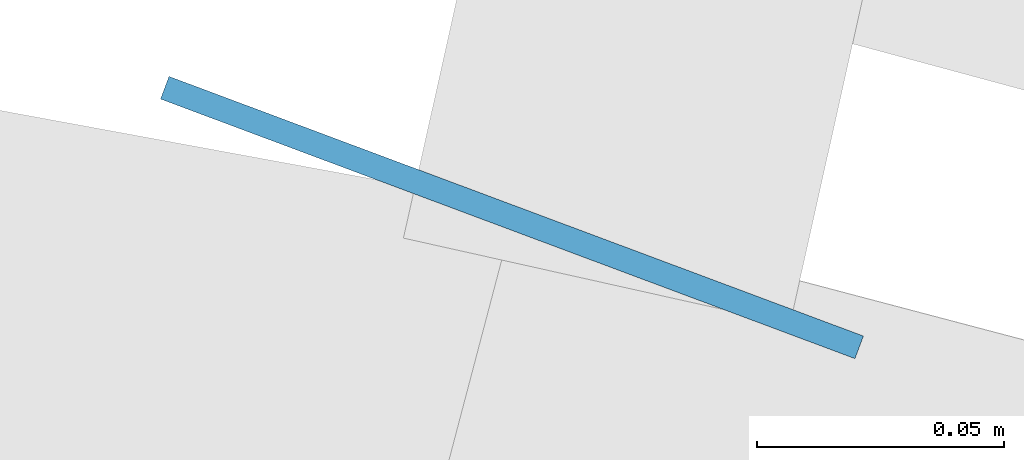
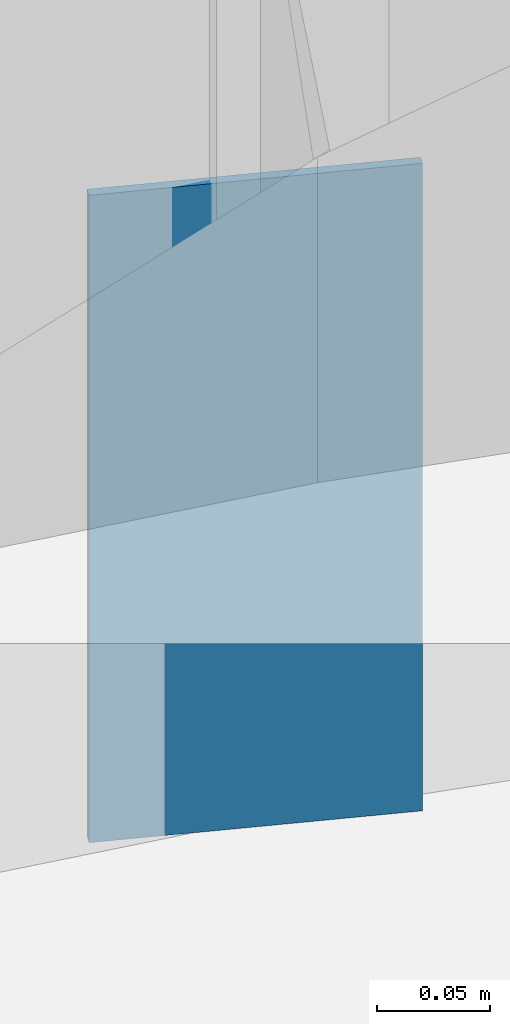
# One storey, part 20 of 28: 1 discrete accessory.
"""IFC4 building model written with IfcOpenShell, lengths in metres."""

import ifcopenshell
import ifcopenshell.guid

model = None  # the IFC model being written
_history = None  # IfcOwnerHistory: only IFC2X3 demands one
_inside = {}  # id of a spatial element -> (the spatial element, [elements in it])
_under = {}  # id of a project, library or spatial element -> (it, [spatial elements below it])
_declared = {}  # id of a project -> (the project, [libraries it declares])
_typed = {}  # id of a type object -> (the type object, [elements of that type])
_made_of = {}  # id of a material, layer set ... -> (it, [elements and type objects made of it])


def new_model(schema):
    """Start an empty IFC model of exactly this schema.

    Asked for "IFC4X3", IfcOpenShell would pick the latest addendum, in which some entities
    have other attributes; the version numbers below select the first issue.
    IFC2X3 requires an IfcOwnerHistory on every rooted entity: one is made here for all.
    """
    global model, _history
    if schema == "IFC4X3":
        model = ifcopenshell.file(schema_version=(4, 3, 0, 0))
    else:
        model = ifcopenshell.file(schema=schema)
    _inside.clear()
    _under.clear()
    _declared.clear()
    _typed.clear()
    _made_of.clear()
    _history = None
    if model.schema == "IFC2X3":
        org = make("IfcOrganization", Name="unknown")
        user = make(
            "IfcPersonAndOrganization",
            ThePerson=make("IfcPerson", FamilyName="unknown"),
            TheOrganization=org,
        )
        app = make(
            "IfcApplication",
            ApplicationDeveloper=org,
            Version="unknown",
            ApplicationFullName="unknown",
            ApplicationIdentifier="unknown",
        )
        _history = make(
            "IfcOwnerHistory",
            OwningUser=user,
            OwningApplication=app,
            ChangeAction="ADDED",
            CreationDate=0,
        )
    return model


def make(cls, **values):
    """One entity of the class cls with the attributes given. An attribute that is None is left unset."""
    return model.create_entity(
        cls, **{name: value for name, value in values.items() if value is not None}
    )


def rooted(cls, **values):
    """An entity with a GlobalId (a new one), such as an element, a storey or a relation."""
    return make(cls, GlobalId=ifcopenshell.guid.new(), OwnerHistory=_history, **values)


def si_unit(unit_type, name, prefix=None):
    """IfcSIUnit, for example si_unit("LENGTHUNIT", "METRE", prefix="MILLI")."""
    return make("IfcSIUnit", UnitType=unit_type, Prefix=prefix, Name=name)


def assignment(units):
    """IfcUnitAssignment: the units of a project."""
    return None if units is None else make("IfcUnitAssignment", Units=units)


def point(xyz):
    """IfcCartesianPoint."""
    return None if xyz is None else make("IfcCartesianPoint", Coordinates=xyz)


def direction(xyz):
    """IfcDirection."""
    return None if xyz is None else make("IfcDirection", DirectionRatios=xyz)


def frame(location, z_axis=None, x_axis=None):
    """IfcAxis2Placement3D, a coordinate frame: its origin and axes. An axis left out is left unset."""
    return make(
        "IfcAxis2Placement3D",
        Location=point(location),
        Axis=direction(z_axis),
        RefDirection=direction(x_axis),
    )


def frame_2d(location, x_axis=None):
    """IfcAxis2Placement2D, a coordinate frame in the plane: its origin and x axis."""
    return make(
        "IfcAxis2Placement2D", Location=point(location), RefDirection=direction(x_axis)
    )


def origin():
    """The frame at (0, 0, 0) with its axes left unset."""
    return frame((0.0, 0.0, 0.0))


def origin_2d():
    """The frame at (0, 0) in the plane with its x axis left unset."""
    return frame_2d((0.0, 0.0))


def place(relative_to, where):
    """IfcLocalPlacement: puts the frame where relative to a parent placement (None: the world)."""
    return make(
        "IfcLocalPlacement", PlacementRelTo=relative_to, RelativePlacement=where
    )


def context(
    kind, dimensions, precision=None, world=None, true_north=None, identifier=None
):
    """IfcGeometricRepresentationContext, for example the 3D "Model" context."""
    return make(
        "IfcGeometricRepresentationContext",
        ContextIdentifier=identifier,
        ContextType=kind,
        CoordinateSpaceDimension=dimensions,
        Precision=precision,
        WorldCoordinateSystem=world,
        TrueNorth=true_north,
    )


def subcontext(parent, identifier, kind, view, scale=None):
    """IfcGeometricRepresentationSubContext, for example "Body" below "Model"."""
    return make(
        "IfcGeometricRepresentationSubContext",
        ContextIdentifier=identifier,
        ContextType=kind,
        ParentContext=parent,
        TargetScale=scale,
        TargetView=view,
    )


def project(units=None, contexts=None):
    """IfcProject with its units and contexts."""
    return rooted(
        "IfcProject",
        Name="project",
        RepresentationContexts=contexts,
        UnitsInContext=assignment(units),
    )


def spatial(cls, under=None, at=None, **own):
    """A site, building, storey or space (cls), placed at a placement, below another one or the project."""
    s = rooted(cls, ObjectPlacement=at, **own)
    if under is not None:
        _under.setdefault(under.id(), (under, []))[1].append(s)
    return s


def profile(cls, at=None, kind="AREA", **sizes):
    """A parametric profile (cls). Its sizes go by their IFC names, for example OverallWidth=200.0."""
    return make(cls, ProfileType=kind, Position=at, **sizes)


def rectangle(**sizes):
    """IfcRectangleProfileDef."""
    return profile("IfcRectangleProfileDef", **sizes)


def extrude(swept, where, along, depth):
    """IfcExtrudedAreaSolid: the profile swept, set in the frame where, extruded along a direction by depth."""
    return make(
        "IfcExtrudedAreaSolid",
        SweptArea=swept,
        Position=where,
        ExtrudedDirection=direction(along),
        Depth=depth,
    )


def shape(context_of_items, identifier, shape_type, items):
    """IfcShapeRepresentation: the items that make up one representation, for example the "Body"."""
    return make(
        "IfcShapeRepresentation",
        ContextOfItems=context_of_items,
        RepresentationIdentifier=identifier,
        RepresentationType=shape_type,
        Items=items,
    )


def material(Name=None, Category=None):
    """IfcMaterial."""
    return make("IfcMaterial", Name=Name, Category=Category)


def made_of(thing, what):
    """Note that an element or type object is made of a material, layer set ...; save() writes the relation."""
    if what is not None:
        _made_of.setdefault(what.id(), (what, []))[1].append(thing)
    return thing


def type_object(cls, material=None, **own):
    """A type object (cls), such as IfcWallType, which elements share."""
    return made_of(rooted(cls, **own), material)


def element(
    cls,
    number,
    at=None,
    inside=None,
    cuts=None,
    type_object=None,
    material=None,
    context=None,
    identifier="Body",
    shape_type=None,
    held_by="IfcProductDefinitionShape",
    body=None,
    shapes=None,
    **own,
):
    """One element of the class cls, such as IfcWall. Its Tag is "e" and its number.

    at: its placement. inside: the storey or other place that contains it. cuts: it is an
    opening in that element (IfcRelVoidsElement). A single representation is given by context,
    identifier, shape_type and body (its items); several are given by shapes. held_by: the class
    of the entity that holds the representations. save() writes the other relations.
    """
    e = rooted(cls, Tag="e%d" % number, ObjectPlacement=at, **own)
    if body is not None:
        shapes = [shape(context, identifier, shape_type, body)]
    if shapes is not None:
        e.Representation = make(held_by, Representations=shapes)
    if inside is not None:
        _inside.setdefault(inside.id(), (inside, []))[1].append(e)
    if cuts is not None:
        rooted(
            "IfcRelVoidsElement", RelatingBuildingElement=cuts, RelatedOpeningElement=e
        )
    if type_object is not None:
        _typed.setdefault(type_object.id(), (type_object, []))[1].append(e)
    return made_of(e, material)


def aggregate(whole, parts):
    """IfcRelAggregates: a whole, such as a stair, and the parts it consists of."""
    return rooted("IfcRelAggregates", RelatingObject=whole, RelatedObjects=parts)


def save(model, path):
    """Write the relations noted so far, then the file.

    IfcRelAggregates (storeys below a building ...), IfcRelContainedInSpatialStructure (elements
    in a storey), IfcRelDefinesByType, IfcRelAssociatesMaterial and IfcRelDeclares: one each for
    every whole, place, type object, material and project.
    """
    for whole, parts in _under.values():
        aggregate(whole, parts)
    for where, things in _inside.values():
        rooted(
            "IfcRelContainedInSpatialStructure",
            RelatedElements=things,
            RelatingStructure=where,
        )
    for kind, things in _typed.values():
        rooted("IfcRelDefinesByType", RelatedObjects=things, RelatingType=kind)
    for what, things in _made_of.values():
        rooted("IfcRelAssociatesMaterial", RelatedObjects=things, RelatingMaterial=what)
    for by, libraries in _declared.values():
        rooted("IfcRelDeclares", RelatingContext=by, RelatedDefinitions=libraries)
    model.write(path)


model = new_model("IFC4")

# Units and contexts
model_context = context("Model", 3, precision=1e-05, world=origin(), true_north=direction((0.0, 1.0)))
body_context = subcontext(model_context, "Body", "Model", "MODEL_VIEW")
ifc_project = project(units=[si_unit("LENGTHUNIT", "METRE"), si_unit("AREAUNIT", "SQUARE_METRE"), si_unit("VOLUMEUNIT", "CUBIC_METRE"), si_unit("PLANEANGLEUNIT", "RADIAN"), si_unit("MASSUNIT", "GRAM", prefix="KILO")], contexts=[model_context])

# Site, building, storey
site_placement = place(None, origin())
site = spatial("IfcSite", under=ifc_project, at=site_placement, CompositionType="ELEMENT")
building_placement = place(site_placement, origin())
building = spatial("IfcBuilding", under=site, at=building_placement, Name="Ghaith Harvest Tower", CompositionType="ELEMENT")
storey_placement = place(building_placement, frame((0.0, 0.0, 5.0)))
storey = spatial("IfcBuildingStorey", under=building, at=storey_placement, Name="L01", CompositionType="ELEMENT", Elevation=5.0)

# Discrete accessory
ifc_material = material(Name="Stainless steel grade 1.4401", Category="steel")
discrete_accessory_type = type_object("IfcDiscreteAccessoryType", Name="CURTAIN WALL BRACKET 5", PredefinedType="BRACKET", material=ifc_material)
discrete_accessory_placement = place(storey_placement, frame((11.1025390625, 29.69873046875, -0.25), z_axis=(0.0, 0.0, 1.0), x_axis=(0.35016769709, 0.936687025593, 0.0)))
element("IfcDiscreteAccessory", 1, at=discrete_accessory_placement, inside=storey, type_object=discrete_accessory_type, Name="CW-P bracket 1 bay 05 L01", PredefinedType="BRACKET", context=body_context, shape_type="SweptSolid", body=[
    extrude(rectangle(XDim=0.0048828125, YDim=0.14990234375, at=origin_2d()), origin(), (0.0, 0.0, 1.0), 0.35009765625),
])

save(model, "model.ifc")
